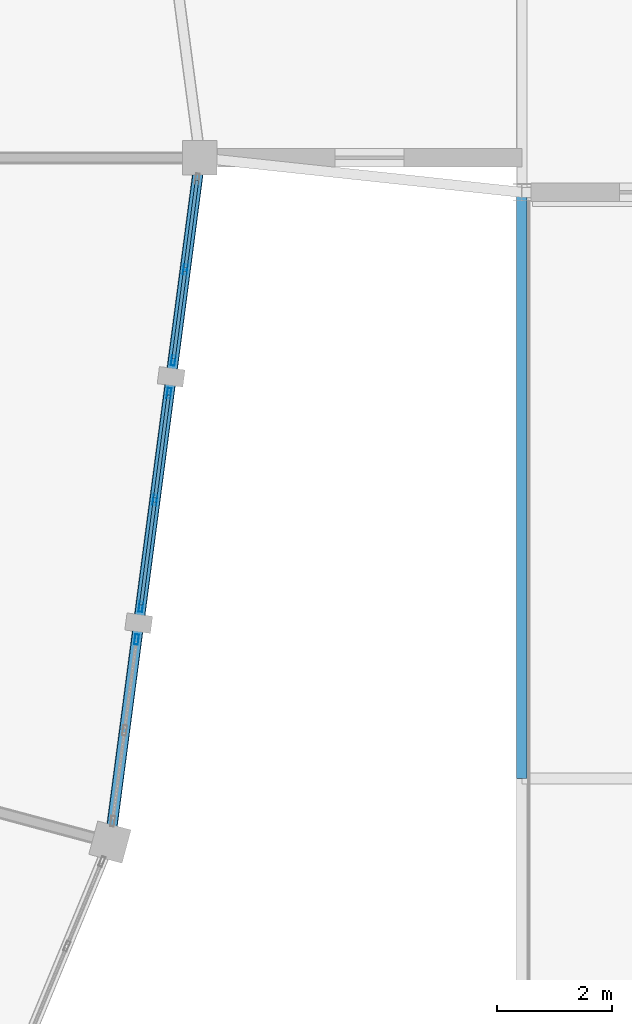
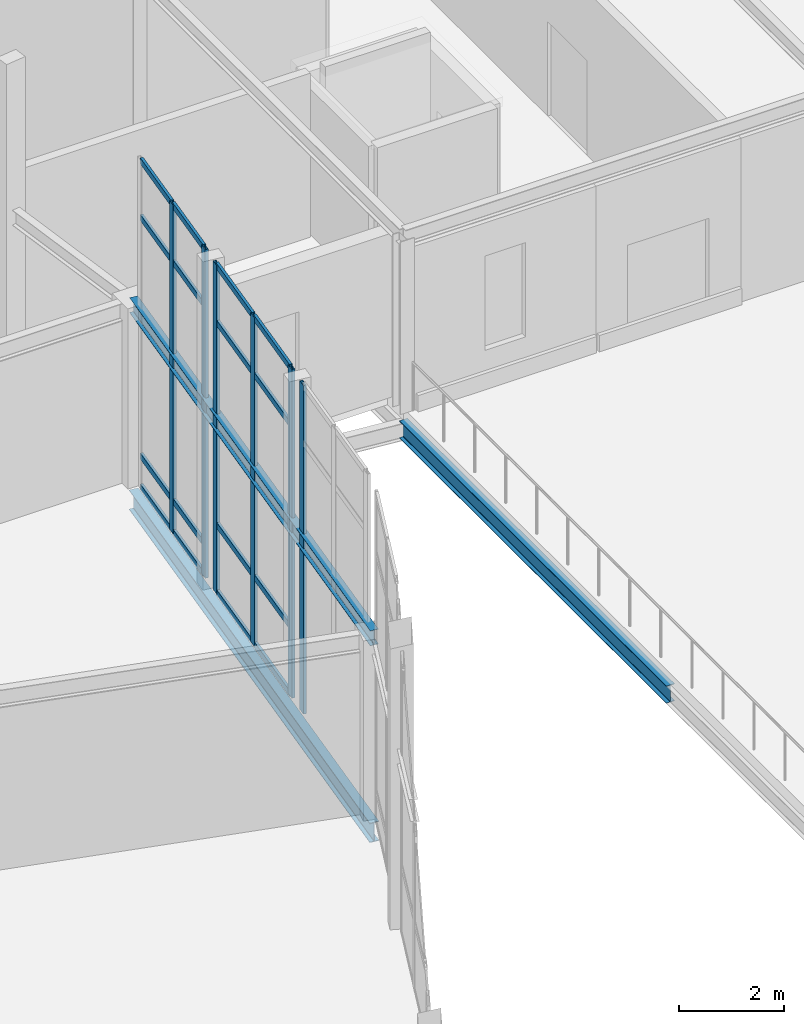
# One storey, part 118 of 185: 22 members, 3 beams, 3 elements without a shape of their own.
"""IFC4 building model written with IfcOpenShell, lengths in metres."""

from ifc_helpers import new_model, si_unit, direction, frame, origin, origin_2d, place, context, subcontext, project, spatial, hollow_rectangle, i_section, extrude, material, material_profile, profile_set, type_object, element, aggregate, save


model = new_model("IFC4")

# Units and contexts
model_context = context("Model", 3, precision=1e-05, world=origin(), true_north=direction((0.0, 1.0)))
body_context = subcontext(model_context, "Body", "Model", "MODEL_VIEW")
ifc_project = project(units=[si_unit("LENGTHUNIT", "METRE"), si_unit("AREAUNIT", "SQUARE_METRE"), si_unit("VOLUMEUNIT", "CUBIC_METRE"), si_unit("PLANEANGLEUNIT", "RADIAN"), si_unit("MASSUNIT", "GRAM", prefix="KILO")], contexts=[model_context])

# Site, building, storey
site_placement = place(None, origin())
site = spatial("IfcSite", under=ifc_project, at=site_placement, CompositionType="ELEMENT")
building_placement = place(site_placement, origin())
building = spatial("IfcBuilding", under=site, at=building_placement, Name="Vondelvale Polytechnic", CompositionType="ELEMENT")
storey_placement = place(building_placement, frame((0.0, 0.0, 9.60009765625)))
storey = spatial("IfcBuildingStorey", under=building, at=storey_placement, Name="L02", CompositionType="ELEMENT", Elevation=9.60009765625)

# Beams
ifc_material_1 = material(Name="Steel 300PLUS (fy = 300 MPa)", Category="steel")
ifc_material_profile_1 = material_profile(ifc_material_1, i_section(OverallWidth=0.1708984375, OverallDepth=0.35205078125, WebThickness=0.0068359375, FlangeThickness=0.009765625, FilletRadius=0.011474609375, at=origin_2d()), Name="360UB44.7")
ifc_profile_set_1 = profile_set([ifc_material_profile_1], Name="Steel 300PLUS (fy = 300 MPa)")
beam_type_1 = type_object("IfcBeamType", Name="BM-UB360L", PredefinedType="BEAM", material=ifc_profile_set_1)
beam_1_placement = place(storey_placement, frame((146.4326171875, 60.09423828125, 4.02392578125), z_axis=(0.130522880875, 0.991445297315, 0.0), x_axis=(-0.991445297315, 0.130522880875, 0.0)))
element("IfcBeam", 1, at=beam_1_placement, inside=storey, type_object=beam_type_1, Name="L02 RE B-24", PredefinedType="BEAM", context=body_context, shape_type="SweptSolid", body=[
    extrude(i_section(OverallWidth=0.1708984375, OverallDepth=0.35205078125, WebThickness=0.0068359375, FlangeThickness=0.009765625, FilletRadius=0.011474609375, at=origin_2d()), origin(), (0.0, 0.0, 1.0), 12.008544921875),
])
ifc_material_profile_2 = material_profile(ifc_material_1, i_section(OverallWidth=0.177978515625, OverallDepth=0.406005859375, WebThickness=0.0078125, FlangeThickness=0.0126953125, FilletRadius=0.011474609375, at=origin_2d()), Name="410UB59.7")
ifc_profile_set_2 = profile_set([ifc_material_profile_2], Name="Steel 300PLUS (fy = 300 MPa)")
beam_type_2 = type_object("IfcBeamType", Name="BM-UB410", PredefinedType="BEAM", material=ifc_profile_set_2)
beam_2_placement = place(storey_placement, frame((153.60009765625, 61.199951171875, -0.463134765625), z_axis=(0.0, 1.0, 0.0), x_axis=(-1.0, 0.0, 0.0)))
element("IfcBeam", 2, at=beam_2_placement, inside=storey, type_object=beam_type_2, Name="L02 B B-14", PredefinedType="BEAM", context=body_context, shape_type="SweptSolid", body=[
    extrude(i_section(OverallWidth=0.177978515625, OverallDepth=0.406005859375, WebThickness=0.0078125, FlangeThickness=0.0126953125, FilletRadius=0.011474609375, at=origin_2d()), origin(), (0.0, 0.0, 1.0), 10.199951171875),
])
ifc_material_profile_3 = material_profile(ifc_material_1, i_section(OverallWidth=0.18994140625, OverallDepth=0.45703125, WebThickness=0.009033203125, FlangeThickness=0.014404296875, FilletRadius=0.011474609375, at=origin_2d()), Name="460UB74.6")
ifc_profile_set_3 = profile_set([ifc_material_profile_3], Name="Steel 300PLUS (fy = 300 MPa)")
beam_type_3 = type_object("IfcBeamType", Name="BM-UB460", PredefinedType="BEAM", material=ifc_profile_set_3)
beam_3_placement = place(storey_placement, frame((146.4326171875, 60.09423828125, -0.508544921875), z_axis=(0.130522880875, 0.991445297315, 0.0), x_axis=(-0.991445297315, 0.130522880875, 0.0)))
element("IfcBeam", 3, at=beam_3_placement, inside=storey, type_object=beam_type_3, Name="L02 RB B-13", PredefinedType="BEAM", context=body_context, shape_type="SweptSolid", body=[
    extrude(i_section(OverallWidth=0.18994140625, OverallDepth=0.45703125, WebThickness=0.009033203125, FlangeThickness=0.014404296875, FilletRadius=0.011474609375, at=origin_2d()), origin(), (0.0, 0.0, 1.0), 12.008544921875),
])

# Curtain wall, member
ifc_material_2 = material(Name="Glulam GL18 structural Tasmanian oak (fb = 42 MPa)", Category="wood")
curtain_wall_type = type_object("IfcCurtainWallType", Name="CW-RING-OUTER", PredefinedType="NOTDEFINED", material=ifc_material_2)
curtain_wall_1_placement = place(storey_placement, origin())
curtain_wall_1 = element("IfcCurtainWall", 4, at=curtain_wall_1_placement, inside=storey, type_object=curtain_wall_type, Name="L02 architectural curtain wall CW-04-379", PredefinedType="NOTDEFINED")
ifc_material_3 = material(Name="Anodised extruded aluminium 6063-T6", Category="aluminium")
ifc_material_profile_4 = material_profile(ifc_material_3, hollow_rectangle(XDim=0.06494140625, YDim=0.179931640625, WallThickness=0.00390625, at=origin_2d()), Name="CW-MUL-180x65")
ifc_profile_set_4 = profile_set([ifc_material_profile_4], Name="Anodised extruded aluminium 6063-T6")
member_type_1 = type_object("IfcMemberType", Name="CW-MUL-65x180", PredefinedType="MULLION", material=ifc_profile_set_4)
member_1_placement = place(storey_placement, frame((146.896728515625, 63.619140625, 0.0), z_axis=(0.0, 0.0, 1.0), x_axis=(-0.991443102996, 0.130539547729, 0.0)))
member_1 = element("IfcMember", 5, at=member_1_placement, type_object=member_type_1, Name="CW-04-379 mullion 3", PredefinedType="MULLION", context=body_context, shape_type="SweptSolid", body=[
    extrude(hollow_rectangle(XDim=0.06494140625, YDim=0.179931640625, WallThickness=0.00390625, at=origin_2d()), origin(), (0.0, 0.0, 1.0), 7.661376953125),
])
aggregate(curtain_wall_1, [member_1])

# Curtain wall, members
curtain_wall_2_placement = place(storey_placement, origin())
curtain_wall_2 = element("IfcCurtainWall", 6, at=curtain_wall_2_placement, inside=storey, type_object=curtain_wall_type, Name="L02 architectural curtain wall CW-04-380", PredefinedType="NOTDEFINED")
member_2_placement = place(storey_placement, frame((146.9716796875, 64.189208984375, 0.0), z_axis=(0.0, 0.0, 1.0), x_axis=(-0.991448671082, 0.130497251349, 0.0)))
member_2 = element("IfcMember", 7, at=member_2_placement, type_object=member_type_1, Name="CW-04-380 mullion 1", PredefinedType="MULLION", context=body_context, shape_type="SweptSolid", body=[
    extrude(hollow_rectangle(XDim=0.06494140625, YDim=0.179931640625, WallThickness=0.00390625, at=origin_2d()), origin(), (0.0, 0.0, 1.0), 7.661376953125),
])
member_3_placement = place(storey_placement, frame((147.21630859375, 66.047119140625, 0.0), z_axis=(0.0, 0.0, 1.0), x_axis=(-0.991448671082, 0.130497251349, 0.0)))
member_3 = element("IfcMember", 8, at=member_3_placement, type_object=member_type_1, Name="CW-04-380 mullion 2", PredefinedType="MULLION", context=body_context, shape_type="SweptSolid", body=[
    extrude(hollow_rectangle(XDim=0.06494140625, YDim=0.179931640625, WallThickness=0.00390625, at=origin_2d()), origin(), (0.0, 0.0, 1.0), 7.661376953125),
])
member_4_placement = place(storey_placement, frame((147.4609375, 67.9052734375, 0.0), z_axis=(0.0, 0.0, 1.0), x_axis=(-0.991448671082, 0.130497251349, 0.0)))
member_4 = element("IfcMember", 9, at=member_4_placement, type_object=member_type_1, Name="CW-04-380 mullion 3", PredefinedType="MULLION", context=body_context, shape_type="SweptSolid", body=[
    extrude(hollow_rectangle(XDim=0.06494140625, YDim=0.179931640625, WallThickness=0.00390625, at=origin_2d()), origin(), (0.0, 0.0, 1.0), 7.661376953125),
])

curtain_wall_3_placement = place(storey_placement, origin())
curtain_wall_3 = element("IfcCurtainWall", 10, at=curtain_wall_3_placement, inside=storey, type_object=curtain_wall_type, Name="L02 architectural curtain wall CW-04-381", PredefinedType="NOTDEFINED")
member_5_placement = place(storey_placement, frame((147.535888671875, 68.475341796875, 0.0), z_axis=(0.0, 0.0, 1.0), x_axis=(-0.991443102996, 0.130539547729, 0.0)))
member_5 = element("IfcMember", 11, at=member_5_placement, type_object=member_type_1, Name="CW-04-381 mullion 1", PredefinedType="MULLION", context=body_context, shape_type="SweptSolid", body=[
    extrude(hollow_rectangle(XDim=0.06494140625, YDim=0.179931640625, WallThickness=0.00390625, at=origin_2d()), origin(), (0.0, 0.0, 1.0), 7.661376953125),
])
member_6_placement = place(storey_placement, frame((147.744140625, 70.056640625, 0.0), z_axis=(0.0, 0.0, 1.0), x_axis=(-0.991443102996, 0.130539547729, 0.0)))
member_6 = element("IfcMember", 12, at=member_6_placement, type_object=member_type_1, Name="CW-04-381 mullion 2", PredefinedType="MULLION", context=body_context, shape_type="SweptSolid", body=[
    extrude(hollow_rectangle(XDim=0.06494140625, YDim=0.179931640625, WallThickness=0.00390625, at=origin_2d()), origin(), (0.0, 0.0, 1.0), 7.661376953125),
])

# Member
ifc_material_profile_5 = material_profile(ifc_material_3, hollow_rectangle(XDim=0.06005859375, YDim=0.139892578125, WallThickness=0.00341796875, at=origin_2d()), Name="CW-TRN-140x60")
ifc_profile_set_5 = profile_set([ifc_material_profile_5], Name="Anodised extruded aluminium 6063-T6")
member_type_2 = type_object("IfcMemberType", Name="CW-TRN-60x140", PredefinedType="USERDEFINED", material=ifc_profile_set_5)
member_7_placement = place(storey_placement, frame((146.97607421875, 64.221435546875, 0.02978515625), z_axis=(0.130510372288, 0.991446943979, 0.0), x_axis=(-0.991446943979, 0.130510372288, 0.0)))
member_7 = element("IfcMember", 13, at=member_7_placement, type_object=member_type_2, Name="CW-04-380 transom 1.1", ObjectType="TRANSOM", PredefinedType="USERDEFINED", context=body_context, shape_type="SweptSolid", body=[
    extrude(hollow_rectangle(XDim=0.06005859375, YDim=0.139892578125, WallThickness=0.00341796875, at=origin_2d()), origin(), (0.0, 0.0, 1.0), 1.808837890625),
])

member_8_placement = place(storey_placement, frame((146.97607421875, 64.221435546875, 1.599853515625), z_axis=(0.130510372288, 0.991446943979, 0.0), x_axis=(-0.991446943979, 0.130510372288, 0.0)))
member_8 = element("IfcMember", 14, at=member_8_placement, type_object=member_type_2, Name="CW-04-380 transom 1.2", ObjectType="TRANSOM", PredefinedType="USERDEFINED", context=body_context, shape_type="SweptSolid", body=[
    extrude(hollow_rectangle(XDim=0.06005859375, YDim=0.139892578125, WallThickness=0.00341796875, at=origin_2d()), origin(), (0.0, 0.0, 1.0), 1.808837890625),
])

member_9_placement = place(storey_placement, frame((146.97607421875, 64.221435546875, 6.311279296875), z_axis=(0.130510372288, 0.991446943979, 0.0), x_axis=(-0.991446943979, 0.130510372288, 0.0)))
member_9 = element("IfcMember", 15, at=member_9_placement, type_object=member_type_2, Name="CW-04-380 transom 1.3", ObjectType="TRANSOM", PredefinedType="USERDEFINED", context=body_context, shape_type="SweptSolid", body=[
    extrude(hollow_rectangle(XDim=0.06005859375, YDim=0.139892578125, WallThickness=0.00341796875, at=origin_2d()), origin(), (0.0, 0.0, 1.0), 1.808837890625),
])

member_10_placement = place(storey_placement, frame((146.97607421875, 64.221435546875, 7.63134765625), z_axis=(0.130510372288, 0.991446943979, 0.0), x_axis=(-0.991446943979, 0.130510372288, 0.0)))
member_10 = element("IfcMember", 16, at=member_10_placement, type_object=member_type_2, Name="CW-04-380 transom 1.4", ObjectType="TRANSOM", PredefinedType="USERDEFINED", context=body_context, shape_type="SweptSolid", body=[
    extrude(hollow_rectangle(XDim=0.06005859375, YDim=0.139892578125, WallThickness=0.00341796875, at=origin_2d()), origin(), (0.0, 0.0, 1.0), 1.808837890625),
])

member_11_placement = place(storey_placement, frame((147.220458984375, 66.079345703125, 0.02978515625), z_axis=(0.130492911033, 0.991449242357, 0.0), x_axis=(-0.991449242357, 0.130492911033, 0.0)))
member_11 = element("IfcMember", 17, at=member_11_placement, type_object=member_type_2, Name="CW-04-380 transom 2.1", ObjectType="TRANSOM", PredefinedType="USERDEFINED", context=body_context, shape_type="SweptSolid", body=[
    extrude(hollow_rectangle(XDim=0.06005859375, YDim=0.139892578125, WallThickness=0.00341796875, at=origin_2d()), origin(), (0.0, 0.0, 1.0), 1.80908203125),
])

member_12_placement = place(storey_placement, frame((147.220458984375, 66.079345703125, 1.599853515625), z_axis=(0.130492911033, 0.991449242357, 0.0), x_axis=(-0.991449242357, 0.130492911033, 0.0)))
member_12 = element("IfcMember", 18, at=member_12_placement, type_object=member_type_2, Name="CW-04-380 transom 2.2", ObjectType="TRANSOM", PredefinedType="USERDEFINED", context=body_context, shape_type="SweptSolid", body=[
    extrude(hollow_rectangle(XDim=0.06005859375, YDim=0.139892578125, WallThickness=0.00341796875, at=origin_2d()), origin(), (0.0, 0.0, 1.0), 1.80908203125),
])

member_13_placement = place(storey_placement, frame((147.220458984375, 66.079345703125, 6.311279296875), z_axis=(0.130492911033, 0.991449242357, 0.0), x_axis=(-0.991449242357, 0.130492911033, 0.0)))
member_13 = element("IfcMember", 19, at=member_13_placement, type_object=member_type_2, Name="CW-04-380 transom 2.3", ObjectType="TRANSOM", PredefinedType="USERDEFINED", context=body_context, shape_type="SweptSolid", body=[
    extrude(hollow_rectangle(XDim=0.06005859375, YDim=0.139892578125, WallThickness=0.00341796875, at=origin_2d()), origin(), (0.0, 0.0, 1.0), 1.80908203125),
])

member_14_placement = place(storey_placement, frame((147.220458984375, 66.079345703125, 7.63134765625), z_axis=(0.130492911033, 0.991449242357, 0.0), x_axis=(-0.991449242357, 0.130492911033, 0.0)))
member_14 = element("IfcMember", 20, at=member_14_placement, type_object=member_type_2, Name="CW-04-380 transom 2.4", ObjectType="TRANSOM", PredefinedType="USERDEFINED", context=body_context, shape_type="SweptSolid", body=[
    extrude(hollow_rectangle(XDim=0.06005859375, YDim=0.139892578125, WallThickness=0.00341796875, at=origin_2d()), origin(), (0.0, 0.0, 1.0), 1.80908203125),
])

aggregate(curtain_wall_2, [member_2, member_3, member_4, member_7, member_8, member_9, member_10, member_11, member_12, member_13, member_14])

member_15_placement = place(storey_placement, frame((147.540283203125, 68.50732421875, 0.02978515625), z_axis=(0.130512293736, 0.991446691045, 0.0), x_axis=(-0.991446691045, 0.130512293736, 0.0)))
member_15 = element("IfcMember", 21, at=member_15_placement, type_object=member_type_2, Name="CW-04-381 transom 1.1", ObjectType="TRANSOM", PredefinedType="USERDEFINED", context=body_context, shape_type="SweptSolid", body=[
    extrude(hollow_rectangle(XDim=0.06005859375, YDim=0.139892578125, WallThickness=0.00341796875, at=origin_2d()), origin(), (0.0, 0.0, 1.0), 1.5302734375),
])

member_16_placement = place(storey_placement, frame((147.540283203125, 68.50732421875, 0.75), z_axis=(0.130512293736, 0.991446691045, 0.0), x_axis=(-0.991446691045, 0.130512293736, 0.0)))
member_16 = element("IfcMember", 22, at=member_16_placement, type_object=member_type_2, Name="CW-04-381 transom 1.2", ObjectType="TRANSOM", PredefinedType="USERDEFINED", context=body_context, shape_type="SweptSolid", body=[
    extrude(hollow_rectangle(XDim=0.06005859375, YDim=0.139892578125, WallThickness=0.00341796875, at=origin_2d()), origin(), (0.0, 0.0, 1.0), 1.5302734375),
])

member_17_placement = place(storey_placement, frame((147.540283203125, 68.50732421875, 6.311279296875), z_axis=(0.130512293736, 0.991446691045, 0.0), x_axis=(-0.991446691045, 0.130512293736, 0.0)))
member_17 = element("IfcMember", 23, at=member_17_placement, type_object=member_type_2, Name="CW-04-381 transom 1.3", ObjectType="TRANSOM", PredefinedType="USERDEFINED", context=body_context, shape_type="SweptSolid", body=[
    extrude(hollow_rectangle(XDim=0.06005859375, YDim=0.139892578125, WallThickness=0.00341796875, at=origin_2d()), origin(), (0.0, 0.0, 1.0), 1.5302734375),
])

member_18_placement = place(storey_placement, frame((147.540283203125, 68.50732421875, 7.63134765625), z_axis=(0.130512293736, 0.991446691045, 0.0), x_axis=(-0.991446691045, 0.130512293736, 0.0)))
member_18 = element("IfcMember", 24, at=member_18_placement, type_object=member_type_2, Name="CW-04-381 transom 1.4", ObjectType="TRANSOM", PredefinedType="USERDEFINED", context=body_context, shape_type="SweptSolid", body=[
    extrude(hollow_rectangle(XDim=0.06005859375, YDim=0.139892578125, WallThickness=0.00341796875, at=origin_2d()), origin(), (0.0, 0.0, 1.0), 1.5302734375),
])

member_19_placement = place(storey_placement, frame((147.748291015625, 70.0888671875, 0.02978515625), z_axis=(0.130532942165, 0.991443972703, 0.0), x_axis=(-0.991443972703, 0.130532942165, 0.0)))
member_19 = element("IfcMember", 25, at=member_19_placement, type_object=member_type_2, Name="CW-04-381 transom 2.1", ObjectType="TRANSOM", PredefinedType="USERDEFINED", context=body_context, shape_type="SweptSolid", body=[
    extrude(hollow_rectangle(XDim=0.06005859375, YDim=0.139892578125, WallThickness=0.00341796875, at=origin_2d()), origin(), (0.0, 0.0, 1.0), 1.530029296875),
])

member_20_placement = place(storey_placement, frame((147.748291015625, 70.0888671875, 0.75), z_axis=(0.130532942165, 0.991443972703, 0.0), x_axis=(-0.991443972703, 0.130532942165, 0.0)))
member_20 = element("IfcMember", 26, at=member_20_placement, type_object=member_type_2, Name="CW-04-381 transom 2.2", ObjectType="TRANSOM", PredefinedType="USERDEFINED", context=body_context, shape_type="SweptSolid", body=[
    extrude(hollow_rectangle(XDim=0.06005859375, YDim=0.139892578125, WallThickness=0.00341796875, at=origin_2d()), origin(), (0.0, 0.0, 1.0), 1.530029296875),
])

member_21_placement = place(storey_placement, frame((147.748291015625, 70.0888671875, 6.311279296875), z_axis=(0.130532942165, 0.991443972703, 0.0), x_axis=(-0.991443972703, 0.130532942165, 0.0)))
member_21 = element("IfcMember", 27, at=member_21_placement, type_object=member_type_2, Name="CW-04-381 transom 2.3", ObjectType="TRANSOM", PredefinedType="USERDEFINED", context=body_context, shape_type="SweptSolid", body=[
    extrude(hollow_rectangle(XDim=0.06005859375, YDim=0.139892578125, WallThickness=0.00341796875, at=origin_2d()), origin(), (0.0, 0.0, 1.0), 1.530029296875),
])

member_22_placement = place(storey_placement, frame((147.748291015625, 70.0888671875, 7.63134765625), z_axis=(0.130532942165, 0.991443972703, 0.0), x_axis=(-0.991443972703, 0.130532942165, 0.0)))
member_22 = element("IfcMember", 28, at=member_22_placement, type_object=member_type_2, Name="CW-04-381 transom 2.4", ObjectType="TRANSOM", PredefinedType="USERDEFINED", context=body_context, shape_type="SweptSolid", body=[
    extrude(hollow_rectangle(XDim=0.06005859375, YDim=0.139892578125, WallThickness=0.00341796875, at=origin_2d()), origin(), (0.0, 0.0, 1.0), 1.530029296875),
])

aggregate(curtain_wall_3, [member_5, member_6, member_15, member_16, member_17, member_18, member_19, member_20, member_21, member_22])

save(model, "model.ifc")
